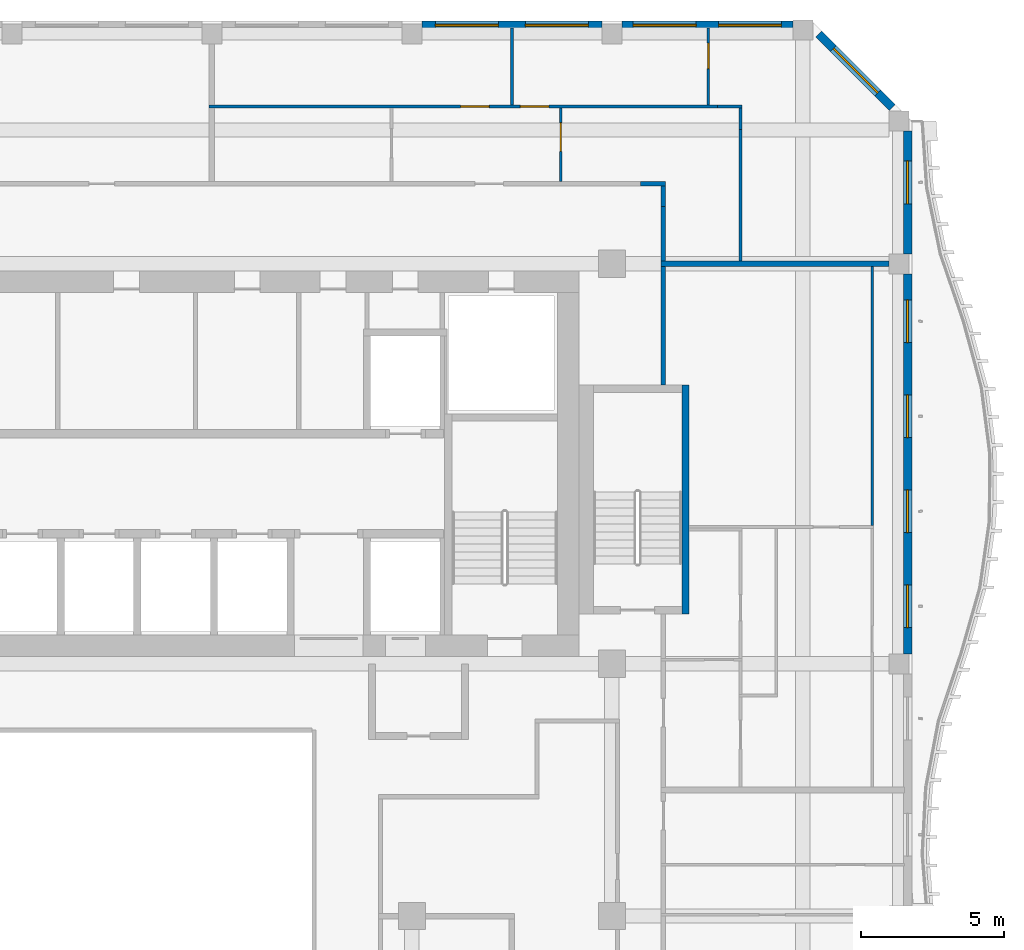
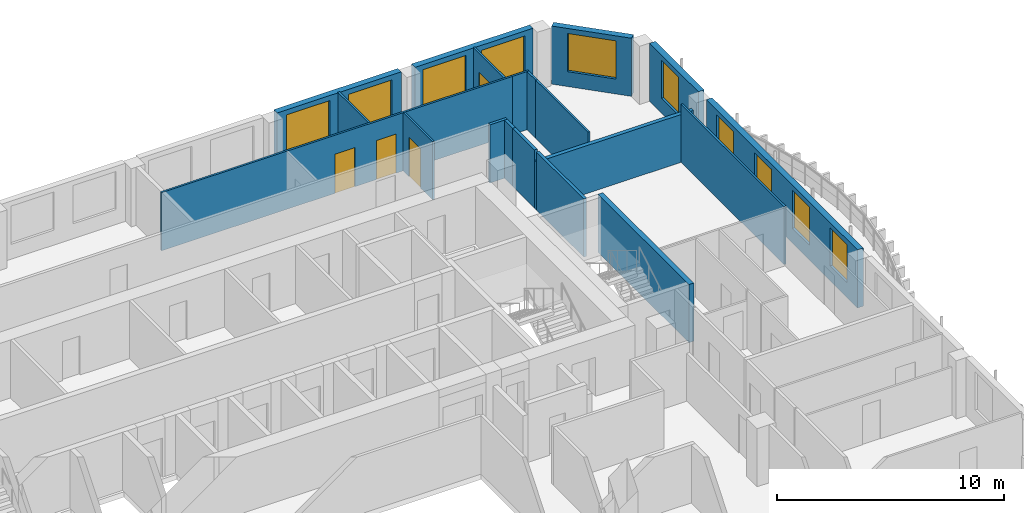
# One storey, part 9 of 19: 19 walls, 10 windows, 4 doors, 14 openings.
"""IFC4 building model written with IfcOpenShell, lengths in metres."""

from ifc_helpers import new_model, si_unit, direction, frame, frame_2d, origin, place, context, subcontext, project, spatial, rectangle, extrude, source, transform, mapped, material, layer, layer_set, type_object, element, fill, save


model = new_model("IFC4")

# Units and contexts
model_context = context("Model", 3, precision=1e-05, world=origin(), true_north=direction((0.0, 1.0)))
body_context = subcontext(model_context, "Body", "Model", "MODEL_VIEW")
ifc_project = project(units=[si_unit("LENGTHUNIT", "METRE"), si_unit("AREAUNIT", "SQUARE_METRE"), si_unit("VOLUMEUNIT", "CUBIC_METRE"), si_unit("PLANEANGLEUNIT", "RADIAN"), si_unit("MASSUNIT", "GRAM", prefix="KILO")], contexts=[model_context])

# Site, building, storey
site_placement = place(None, origin())
site = spatial("IfcSite", under=ifc_project, at=site_placement, CompositionType="ELEMENT")
building_placement = place(site_placement, origin())
building = spatial("IfcBuilding", under=site, at=building_placement, Name="Kilnfold Tower and Market Hall", CompositionType="ELEMENT")
storey_placement = place(building_placement, frame((0.0, 0.0, 252.60009765625)))
storey = spatial("IfcBuildingStorey", under=building, at=storey_placement, Name="L61", CompositionType="ELEMENT", Elevation=252.60009765625)

# Walls
ifc_material_1 = material(Name="Gypsum board on steel studs", Category="steel")
ifc_layer_1 = layer(ifc_material_1, 0.14990234375)
ifc_layer_set_1 = layer_set([ifc_layer_1], Name="Gypsum board on steel studs")
wall_type_1 = type_object("IfcWallType", Name="WALL CORRIDOR 150", PredefinedType="PARTITIONING", material=ifc_layer_set_1)
wall_1_placement = place(storey_placement, frame((20.800048828125, 17.75, 0.0), z_axis=(0.0, 0.0, 1.0), x_axis=(0.0, 1.0, 0.0)))
element("IfcWall", 1, at=wall_1_placement, inside=storey, type_object=wall_type_1, Name="Partition LY37.16", PredefinedType="PARTITIONING", context=body_context, shape_type="SweptSolid", body=[
    extrude(rectangle(XDim=4.159912109375, YDim=0.14990234375, at=frame_2d((2.080078125, 0.0))), origin(), (0.0, 0.0, 1.0), 3.119873046875),
])
wall_2_placement = place(storey_placement, frame((20.876953125, 24.802001953125, 0.0), z_axis=(0.0, 0.0, 1.0), x_axis=(-1.0, 0.0, 0.0)))
element("IfcWall", 2, at=wall_2_placement, inside=storey, type_object=wall_type_1, Name="Partition LY37.19", PredefinedType="PARTITIONING", context=body_context, shape_type="SweptSolid", body=[
    extrude(rectangle(XDim=0.87890625, YDim=0.14990234375, at=frame_2d((0.439453125, 0.0))), origin(), (0.0, 0.0, 1.0), 3.119873046875),
])
wall_3_placement = place(storey_placement, frame((20.802001953125, 23.998046875, 0.0), z_axis=(0.0, 0.0, 1.0), x_axis=(0.0, 1.0, 0.0)))
element("IfcWall", 3, at=wall_3_placement, inside=storey, type_object=wall_type_1, Name="Partition LY37.20", PredefinedType="PARTITIONING", context=body_context, shape_type="SweptSolid", body=[
    extrude(rectangle(XDim=0.72900390625, YDim=0.14990234375, at=frame_2d((0.364501953125, 0.0))), origin(), (0.0, 0.0, 1.0), 3.119873046875),
])
wall_4_placement = place(storey_placement, frame((20.800048828125, 22.090087890625, 0.0), z_axis=(0.0, 0.0, 1.0), x_axis=(0.0, 1.0, 0.0)))
element("IfcWall", 4, at=wall_4_placement, inside=storey, type_object=wall_type_1, Name="Partition LY37.21", PredefinedType="PARTITIONING", context=body_context, shape_type="SweptSolid", body=[
    extrude(rectangle(XDim=1.907958984375, YDim=0.14990234375, at=frame_2d((0.9541015625, 0.0))), origin(), (0.0, 0.0, 1.0), 3.119873046875),
])
ifc_material_2 = material(Name="Gypsum board on steel studs", Category="steel")
ifc_layer_2 = layer(ifc_material_2, 0.10009765625)
ifc_layer_set_2 = layer_set([ifc_layer_2], Name="Gypsum board on steel studs")
wall_type_2 = type_object("IfcWallType", Name="WALL PARTITION 100", PredefinedType="PARTITIONING", material=ifc_layer_set_2)
wall_5_placement = place(storey_placement, frame((28.111083984375, 12.841064453125, 0.0), z_axis=(0.0, 0.0, 1.0), x_axis=(0.0, 1.0, 0.0)))
element("IfcWall", 5, at=wall_5_placement, inside=storey, type_object=wall_type_2, Name="Partition LY37.83", PredefinedType="PARTITIONING", context=body_context, shape_type="SweptSolid", body=[
    extrude(rectangle(XDim=9.058837890625, YDim=0.10009765625, at=frame_2d((4.529296875, 0.0))), origin(), (0.0, 0.0, 1.0), 3.119873046875),
])

# Wall, openings, doors
wall_6_placement = place(storey_placement, frame((4.89990234375, 27.5, 0.0), z_axis=(0.0, 0.0, 1.0), x_axis=(1.0, 0.0, 0.0)))
wall_6 = element("IfcWall", 6, at=wall_6_placement, inside=storey, type_object=wall_type_2, Name="Partition LY37.91", PredefinedType="PARTITIONING", context=body_context, shape_type="SweptSolid", body=[
    extrude(rectangle(XDim=17.798095703125, YDim=0.10009765625, at=frame_2d((8.89892578125, 0.0))), origin(), (0.0, 0.0, 1.0), 3.119873046875),
])
opening_1_placement = place(wall_6_placement, frame((8.805908203125, 0.0, 0.0)))
opening_1 = element("IfcOpeningElement", 7, at=opening_1_placement, cuts=wall_6, Name="Opening D1", PredefinedType="OPENING", context=body_context, shape_type="SweptSolid", body=[
    extrude(rectangle(XDim=1.0, YDim=2.10009765625, at=frame_2d((0.5, 1.050048828125))), frame((0.0, 0.06005859375, 0.0), z_axis=(0.0, -1.0, 0.0), x_axis=(1.0, 0.0, 0.0)), (0.0, 0.0, 1.0), 0.1201171875),
])
opening_2_placement = place(wall_6_placement, frame((10.89697265625, 0.0, 0.0)))
opening_2 = element("IfcOpeningElement", 8, at=opening_2_placement, cuts=wall_6, Name="Opening D1", PredefinedType="OPENING", context=body_context, shape_type="SweptSolid", body=[
    extrude(rectangle(XDim=1.0, YDim=2.10009765625, at=frame_2d((0.5, 1.050048828125))), frame((0.0, 0.06005859375, 0.0), z_axis=(0.0, -1.0, 0.0), x_axis=(1.0, 0.0, 0.0)), (0.0, 0.0, 1.0), 0.1201171875),
])
ifc_material_3 = material(Name="Timber veneer door leaf in steel frame", Category="steel")
door_type_1 = type_object("IfcDoorType", Name="DOOR ENTRY 1000 X2100", OperationType="NOTDEFINED", PredefinedType="DOOR", material=ifc_material_3)
door_1_placement = place(opening_1_placement, origin())
door_1 = element("IfcDoor", 9, at=door_1_placement, inside=storey, type_object=door_type_1, Name="Door D1", OperationType="SINGLE_SWING_LEFT", OverallHeight=2.10009765625, OverallWidth=1.0, PredefinedType="DOOR", context=body_context, shape_type="SweptSolid", body=[
    extrude(rectangle(XDim=1.0, YDim=2.10009765625, at=frame_2d((0.5, 1.050048828125))), frame((0.0, 0.02490234375, 0.0), z_axis=(0.0, -1.0, 0.0), x_axis=(1.0, 0.0, 0.0)), (0.0, 0.0, 1.0), 0.050048828125),
])
fill(opening_1, door_1)
door_2_placement = place(opening_2_placement, origin())
door_2 = element("IfcDoor", 10, at=door_2_placement, inside=storey, type_object=door_type_1, Name="Door D1", OperationType="SINGLE_SWING_LEFT", OverallHeight=2.10009765625, OverallWidth=1.0, PredefinedType="DOOR", context=body_context, shape_type="SweptSolid", body=[
    extrude(rectangle(XDim=1.0, YDim=2.10009765625, at=frame_2d((0.5, 1.050048828125))), frame((0.0, 0.02490234375, 0.0), z_axis=(0.0, -1.0, 0.0), x_axis=(1.0, 0.0, 0.0)), (0.0, 0.0, 1.0), 0.050048828125),
])
fill(opening_2, door_2)

# Wall, opening, door
wall_7_placement = place(storey_placement, frame((17.2099609375, 24.876953125, 0.0), z_axis=(0.0, 0.0, 1.0), x_axis=(0.0, 1.0, 0.0)))
wall_7 = element("IfcWall", 11, at=wall_7_placement, inside=storey, type_object=wall_type_2, Name="Partition LY37.93", PredefinedType="PARTITIONING", context=body_context, shape_type="SweptSolid", body=[
    extrude(rectangle(XDim=2.572998046875, YDim=0.10009765625, at=frame_2d((1.28662109375, 0.0))), origin(), (0.0, 0.0, 1.0), 3.119873046875),
])
opening_3_placement = place(wall_7_placement, frame((1.052978515625, 0.0, 0.0)))
opening_3 = element("IfcOpeningElement", 12, at=opening_3_placement, cuts=wall_7, Name="Opening D1", PredefinedType="OPENING", context=body_context, shape_type="SweptSolid", body=[
    extrude(rectangle(XDim=1.0, YDim=2.10009765625, at=frame_2d((0.5, 1.050048828125))), frame((0.0, 0.06005859375, 0.0), z_axis=(0.0, -1.0, 0.0), x_axis=(1.0, 0.0, 0.0)), (0.0, 0.0, 1.0), 0.1201171875),
])
door_3_placement = place(opening_3_placement, origin())
door_3 = element("IfcDoor", 13, at=door_3_placement, inside=storey, type_object=door_type_1, Name="Door D1", OperationType="SINGLE_SWING_LEFT", OverallHeight=2.10009765625, OverallWidth=1.0, PredefinedType="DOOR", context=body_context, shape_type="SweptSolid", body=[
    extrude(rectangle(XDim=1.0, YDim=2.10009765625, at=frame_2d((0.5, 1.050048828125))), frame((0.0, 0.02490234375, 0.0), z_axis=(0.0, -1.0, 0.0), x_axis=(1.0, 0.0, 0.0)), (0.0, 0.0, 1.0), 0.050048828125),
])
fill(opening_3, door_3)

# Walls
wall_8_placement = place(storey_placement, frame((23.552001953125, 27.501953125, 0.0), z_axis=(0.0, 0.0, 1.0), x_axis=(-1.0, 0.0, 0.0)))
element("IfcWall", 14, at=wall_8_placement, inside=storey, type_object=wall_type_2, Name="Partition LY37.94", PredefinedType="PARTITIONING", context=body_context, shape_type="SweptSolid", body=[
    extrude(rectangle(XDim=0.85400390625, YDim=0.10009765625, at=frame_2d((0.427001953125, 0.0))), origin(), (0.0, 0.0, 1.0), 3.119873046875),
])
wall_9_placement = place(storey_placement, frame((23.501953125, 26.697998046875, 0.0), z_axis=(0.0, 0.0, 1.0), x_axis=(0.0, 1.0, 0.0)))
element("IfcWall", 15, at=wall_9_placement, inside=storey, type_object=wall_type_2, Name="Partition LY37.95", PredefinedType="PARTITIONING", context=body_context, shape_type="SweptSolid", body=[
    extrude(rectangle(XDim=0.75390625, YDim=0.10009765625, at=frame_2d((0.376953125, 0.0))), origin(), (0.0, 0.0, 1.0), 3.119873046875),
])
wall_10_placement = place(storey_placement, frame((23.5, 22.10009765625, 0.0), z_axis=(0.0, 0.0, 1.0), x_axis=(0.0, 1.0, 0.0)))
element("IfcWall", 16, at=wall_10_placement, inside=storey, type_object=wall_type_2, Name="Partition LY37.96", PredefinedType="PARTITIONING", context=body_context, shape_type="SweptSolid", body=[
    extrude(rectangle(XDim=4.597900390625, YDim=0.10009765625, at=frame_2d((2.298828125, 0.0))), origin(), (0.0, 0.0, 1.0), 3.119873046875),
])
wall_11_placement = place(storey_placement, frame((15.5, 27.552001953125, 0.0), z_axis=(0.0, 0.0, 1.0), x_axis=(0.0, 1.0, 0.0)))
element("IfcWall", 17, at=wall_11_placement, inside=storey, type_object=wall_type_2, Name="Partition LY37.97", PredefinedType="PARTITIONING", context=body_context, shape_type="SweptSolid", body=[
    extrude(rectangle(XDim=2.697998046875, YDim=0.10009765625, at=frame_2d((1.34912109375, 0.0))), origin(), (0.0, 0.0, 1.0), 3.119873046875),
])

# Wall, opening, door
wall_12_placement = place(storey_placement, frame((22.375, 27.552001953125, 0.0), z_axis=(0.0, 0.0, 1.0), x_axis=(0.0, 1.0, 0.0)))
wall_12 = element("IfcWall", 18, at=wall_12_placement, inside=storey, type_object=wall_type_2, Name="Partition LY37.99", PredefinedType="PARTITIONING", context=body_context, shape_type="SweptSolid", body=[
    extrude(rectangle(XDim=2.697998046875, YDim=0.10009765625, at=frame_2d((1.34912109375, 0.0))), origin(), (0.0, 0.0, 1.0), 3.119873046875),
])
opening_4_placement = place(wall_12_placement, frame((1.27490234375, 0.0, 0.0)))
opening_4 = element("IfcOpeningElement", 19, at=opening_4_placement, cuts=wall_12, Name="Opening D2", PredefinedType="OPENING", context=body_context, shape_type="SweptSolid", body=[
    extrude(rectangle(XDim=0.89990234375, YDim=2.10009765625, at=frame_2d((0.449951171875, 1.050048828125))), frame((0.0, 0.06005859375, 0.0), z_axis=(0.0, -1.0, 0.0), x_axis=(1.0, 0.0, 0.0)), (0.0, 0.0, 1.0), 0.1201171875),
])
ifc_material_4 = material(Name="Timber veneer door leaf in steel frame", Category="steel")
door_type_2 = type_object("IfcDoorType", Name="DOOR ROOM 900 X2100", OperationType="NOTDEFINED", PredefinedType="DOOR", material=ifc_material_4)
door_4_placement = place(opening_4_placement, origin())
door_4 = element("IfcDoor", 20, at=door_4_placement, inside=storey, type_object=door_type_2, Name="Door D2", OperationType="SINGLE_SWING_LEFT", OverallHeight=2.10009765625, OverallWidth=0.89990234375, PredefinedType="DOOR", context=body_context, shape_type="SweptSolid", body=[
    extrude(rectangle(XDim=0.89990234375, YDim=2.10009765625, at=frame_2d((0.449951171875, 1.050048828125))), frame((0.0, 0.02490234375, 0.0), z_axis=(0.0, -1.0, 0.0), x_axis=(1.0, 0.0, 0.0)), (0.0, 0.0, 1.0), 0.050048828125),
])
fill(opening_4, door_4)

# Walls
ifc_material_5 = material(Name="Gypsum board on steel studs", Category="steel")
ifc_layer_3 = layer(ifc_material_5, 0.199951171875)
ifc_layer_set_3 = layer_set([ifc_layer_3], Name="Gypsum board on steel studs")
wall_type_3 = type_object("IfcWallType", Name="WALL PARTY 200", PredefinedType="PARTITIONING", material=ifc_layer_set_3)
wall_13_placement = place(storey_placement, frame((20.72705078125, 22.0, 0.0), z_axis=(0.0, 0.0, 1.0), x_axis=(1.0, 0.0, 0.0)))
element("IfcWall", 21, at=wall_13_placement, inside=storey, type_object=wall_type_3, Name="Partition LY37.84", PredefinedType="PARTITIONING", context=body_context, shape_type="SweptSolid", body=[
    extrude(rectangle(XDim=7.972900390625, YDim=0.199951171875, at=frame_2d((3.986328125, 0.0))), origin(), (0.0, 0.0, 1.0), 2.56982421875),
])
ifc_material_6 = material(Name="Concrete C60", Category="concrete")
ifc_layer_4 = layer(ifc_material_6, 0.25)
ifc_layer_set_4 = layer_set([ifc_layer_4], Name="Concrete C60")
wall_type_4 = type_object("IfcWallType", Name="CORE WALL 250 C60", PredefinedType="SHEAR", material=ifc_layer_set_4)
shared_shape_1 = source(origin(), body_context, "Body", "SweptSolid", [
    extrude(rectangle(XDim=8.0, YDim=0.25, at=frame_2d((4.0, 0.0))), origin(), (0.0, 0.0, 1.0), 3.119873046875),
])
wall_14_placement = place(storey_placement, frame((21.574951171875, 9.75, 0.0), z_axis=(0.0, 0.0, 1.0), x_axis=(0.0, 1.0, 0.0)))
element("IfcWall", 22, at=wall_14_placement, inside=storey, type_object=wall_type_4, Name="Stair enclosure ST5", PredefinedType="SHEAR", context=body_context, shape_type="MappedRepresentation", body=[
    mapped(shared_shape_1, transform((0.0, 0.0, 0.0))),
])

# Wall, openings, windows
ifc_material_7 = material(Name="Precast concrete C50/60", Category="concrete")
ifc_layer_5 = layer(ifc_material_7, 0.300048828125)
ifc_layer_set_5 = layer_set([ifc_layer_5], Name="Precast concrete C50/60")
wall_type_5 = type_object("IfcWallType", Name="PRECAST WALL 300", PredefinedType="SOLIDWALL", material=ifc_layer_set_5)
shared_shape_2 = source(origin(), body_context, "Body", "SweptSolid", [
    extrude(rectangle(XDim=6.2998046875, YDim=0.300048828125, at=frame_2d((3.14990234375, 0.0))), origin(), (0.0, 0.0, 1.0), 3.119873046875),
])
wall_15_placement = place(storey_placement, frame((18.64990234375, 30.35009765625, 0.0), z_axis=(0.0, 0.0, 1.0), x_axis=(-1.0, 0.0, 0.0)))
wall_15 = element("IfcWall", 23, at=wall_15_placement, inside=storey, type_object=wall_type_5, Name="External wall L61 N", PredefinedType="SOLIDWALL", context=body_context, shape_type="MappedRepresentation", body=[
    mapped(shared_shape_2, transform((0.0, 0.0, 0.0))),
])
opening_5_placement = place(wall_15_placement, frame((0.47509765625, 0.0, 0.800048828125)))
opening_5 = element("IfcOpeningElement", 24, at=opening_5_placement, cuts=wall_15, Name="Opening W3", PredefinedType="OPENING", context=body_context, shape_type="SweptSolid", body=[
    extrude(rectangle(XDim=2.199951171875, YDim=2.050048828125, at=frame_2d((1.10009765625, 1.02490234375))), frame((0.0, 0.16015625, 0.0), z_axis=(0.0, -1.0, 0.0), x_axis=(1.0, 0.0, 0.0)), (0.0, 0.0, 1.0), 0.320068359375),
])
opening_6_placement = place(wall_15_placement, frame((3.625, 0.0, 0.800048828125)))
opening_6 = element("IfcOpeningElement", 25, at=opening_6_placement, cuts=wall_15, Name="Opening W3", PredefinedType="OPENING", context=body_context, shape_type="SweptSolid", body=[
    extrude(rectangle(XDim=2.199951171875, YDim=2.050048828125, at=frame_2d((1.10009765625, 1.02490234375))), frame((0.0, 0.16015625, 0.0), z_axis=(0.0, -1.0, 0.0), x_axis=(1.0, 0.0, 0.0)), (0.0, 0.0, 1.0), 0.320068359375),
])
ifc_material_8 = material(Name="Aluminium frame and double glazing", Category="aluminium")
window_type_1 = type_object("IfcWindowType", Name="WINDOW W3 2200X2050", PartitioningType="SINGLE_PANEL", PredefinedType="WINDOW", material=ifc_material_8)
window_1_placement = place(opening_5_placement, origin())
window_1 = element("IfcWindow", 26, at=window_1_placement, inside=storey, type_object=window_type_1, Name="Window W3 L61 N-1", OverallHeight=2.050048828125, OverallWidth=2.199951171875, PartitioningType="SINGLE_PANEL", PredefinedType="WINDOW", context=body_context, shape_type="SweptSolid", body=[
    extrude(rectangle(XDim=2.199951171875, YDim=2.050048828125, at=frame_2d((1.10009765625, 1.02490234375))), frame((0.0, 0.030029296875, 0.0), z_axis=(0.0, -1.0, 0.0), x_axis=(1.0, 0.0, 0.0)), (0.0, 0.0, 1.0), 0.06005859375),
])
fill(opening_5, window_1)
window_2_placement = place(opening_6_placement, origin())
window_2 = element("IfcWindow", 27, at=window_2_placement, inside=storey, type_object=window_type_1, Name="Window W3 L61 N-2", OverallHeight=2.050048828125, OverallWidth=2.199951171875, PartitioningType="SINGLE_PANEL", PredefinedType="WINDOW", context=body_context, shape_type="SweptSolid", body=[
    extrude(rectangle(XDim=2.199951171875, YDim=2.050048828125, at=frame_2d((1.10009765625, 1.02490234375))), frame((0.0, 0.030029296875, 0.0), z_axis=(0.0, -1.0, 0.0), x_axis=(1.0, 0.0, 0.0)), (0.0, 0.0, 1.0), 0.06005859375),
])
fill(opening_6, window_2)

# Wall, opening, window
shared_shape_3 = source(origin(), body_context, "Body", "SweptSolid", [
    extrude(rectangle(XDim=3.6416015625, YDim=0.300048828125, at=frame_2d((1.82080078125, 0.0))), origin(), (0.0, 0.0, 1.0), 3.119873046875),
])
wall_16_placement = place(storey_placement, frame((28.81884765625, 27.468994140625, 0.0), z_axis=(0.0, 0.0, 1.0), x_axis=(-0.707106781187, 0.707106781187, 0.0)))
wall_16 = element("IfcWall", 28, at=wall_16_placement, inside=storey, type_object=wall_type_5, Name="External wall L61 NE", PredefinedType="SOLIDWALL", context=body_context, shape_type="MappedRepresentation", body=[
    mapped(shared_shape_3, transform((0.0, 0.0, 0.0))),
])
opening_7_placement = place(wall_16_placement, frame((0.720703125, 0.0, 0.800048828125)))
opening_7 = element("IfcOpeningElement", 29, at=opening_7_placement, cuts=wall_16, Name="Opening W3", PredefinedType="OPENING", context=body_context, shape_type="SweptSolid", body=[
    extrude(rectangle(XDim=2.199951171875, YDim=2.050048828125, at=frame_2d((1.10009765625, 1.02490234375))), frame((0.0, 0.16015625, 0.0), z_axis=(0.0, -1.0, 0.0), x_axis=(1.0, 0.0, 0.0)), (0.0, 0.0, 1.0), 0.320068359375),
])
window_3_placement = place(opening_7_placement, origin())
window_3 = element("IfcWindow", 30, at=window_3_placement, inside=storey, type_object=window_type_1, Name="Window W3 L61 NE-1", OverallHeight=2.050048828125, OverallWidth=2.199951171875, PartitioningType="SINGLE_PANEL", PredefinedType="WINDOW", context=body_context, shape_type="SweptSolid", body=[
    extrude(rectangle(XDim=2.199951171875, YDim=2.050048828125, at=frame_2d((1.10009765625, 1.02490234375))), frame((0.0, 0.030029296875, 0.0), z_axis=(0.0, -1.0, 0.0), x_axis=(1.0, 0.0, 0.0)), (0.0, 0.0, 1.0), 0.06005859375),
])
fill(opening_7, window_3)

# Wall, openings, windows
shared_shape_4 = source(origin(), body_context, "Body", "SweptSolid", [
    extrude(rectangle(XDim=13.2998046875, YDim=0.300048828125, at=frame_2d((6.64990234375, 0.0))), origin(), (0.0, 0.0, 1.0), 3.119873046875),
])
wall_17_placement = place(storey_placement, frame((29.35009765625, 8.35009765625, 0.0), z_axis=(0.0, 0.0, 1.0), x_axis=(0.0, 1.0, 0.0)))
wall_17 = element("IfcWall", 31, at=wall_17_placement, inside=storey, type_object=wall_type_5, Name="External wall L61 E", PredefinedType="SOLIDWALL", context=body_context, shape_type="MappedRepresentation", body=[
    mapped(shared_shape_4, transform((0.0, 0.0, 0.0))),
])
opening_8_placement = place(wall_17_placement, frame((0.91259765625, 0.0, 0.800048828125)))
opening_8 = element("IfcOpeningElement", 32, at=opening_8_placement, cuts=wall_17, Name="Opening W5", PredefinedType="OPENING", context=body_context, shape_type="SweptSolid", body=[
    extrude(rectangle(XDim=1.5, YDim=2.050048828125, at=frame_2d((0.75, 1.02490234375))), frame((0.0, 0.16015625, 0.0), z_axis=(0.0, -1.0, 0.0), x_axis=(1.0, 0.0, 0.0)), (0.0, 0.0, 1.0), 0.320068359375),
])
opening_9_placement = place(wall_17_placement, frame((4.237548828125, 0.0, 0.800048828125)))
opening_9 = element("IfcOpeningElement", 33, at=opening_9_placement, cuts=wall_17, Name="Opening W5", PredefinedType="OPENING", context=body_context, shape_type="SweptSolid", body=[
    extrude(rectangle(XDim=1.5, YDim=2.050048828125, at=frame_2d((0.75, 1.02490234375))), frame((0.0, 0.16015625, 0.0), z_axis=(0.0, -1.0, 0.0), x_axis=(1.0, 0.0, 0.0)), (0.0, 0.0, 1.0), 0.320068359375),
])
opening_10_placement = place(wall_17_placement, frame((7.5625, 0.0, 0.800048828125)))
opening_10 = element("IfcOpeningElement", 34, at=opening_10_placement, cuts=wall_17, Name="Opening W5", PredefinedType="OPENING", context=body_context, shape_type="SweptSolid", body=[
    extrude(rectangle(XDim=1.5, YDim=2.050048828125, at=frame_2d((0.75, 1.02490234375))), frame((0.0, 0.16015625, 0.0), z_axis=(0.0, -1.0, 0.0), x_axis=(1.0, 0.0, 0.0)), (0.0, 0.0, 1.0), 0.320068359375),
])
opening_11_placement = place(wall_17_placement, frame((10.887451171875, 0.0, 0.800048828125)))
opening_11 = element("IfcOpeningElement", 35, at=opening_11_placement, cuts=wall_17, Name="Opening W5", PredefinedType="OPENING", context=body_context, shape_type="SweptSolid", body=[
    extrude(rectangle(XDim=1.5, YDim=2.050048828125, at=frame_2d((0.75, 1.02490234375))), frame((0.0, 0.16015625, 0.0), z_axis=(0.0, -1.0, 0.0), x_axis=(1.0, 0.0, 0.0)), (0.0, 0.0, 1.0), 0.320068359375),
])
ifc_material_9 = material(Name="Aluminium frame and double glazing", Category="aluminium")
window_type_2 = type_object("IfcWindowType", Name="WINDOW W5 1500X2050", PartitioningType="SINGLE_PANEL", PredefinedType="WINDOW", material=ifc_material_9)
window_4_placement = place(opening_8_placement, origin())
window_4 = element("IfcWindow", 36, at=window_4_placement, inside=storey, type_object=window_type_2, Name="Window W5 L61 E-1", OverallHeight=2.050048828125, OverallWidth=1.5, PartitioningType="SINGLE_PANEL", PredefinedType="WINDOW", context=body_context, shape_type="SweptSolid", body=[
    extrude(rectangle(XDim=1.5, YDim=2.050048828125, at=frame_2d((0.75, 1.02490234375))), frame((0.0, 0.030029296875, 0.0), z_axis=(0.0, -1.0, 0.0), x_axis=(1.0, 0.0, 0.0)), (0.0, 0.0, 1.0), 0.06005859375),
])
fill(opening_8, window_4)
window_5_placement = place(opening_9_placement, origin())
window_5 = element("IfcWindow", 37, at=window_5_placement, inside=storey, type_object=window_type_2, Name="Window W5 L61 E-2", OverallHeight=2.050048828125, OverallWidth=1.5, PartitioningType="SINGLE_PANEL", PredefinedType="WINDOW", context=body_context, shape_type="SweptSolid", body=[
    extrude(rectangle(XDim=1.5, YDim=2.050048828125, at=frame_2d((0.75, 1.02490234375))), frame((0.0, 0.030029296875, 0.0), z_axis=(0.0, -1.0, 0.0), x_axis=(1.0, 0.0, 0.0)), (0.0, 0.0, 1.0), 0.06005859375),
])
fill(opening_9, window_5)
window_6_placement = place(opening_10_placement, origin())
window_6 = element("IfcWindow", 38, at=window_6_placement, inside=storey, type_object=window_type_2, Name="Window W5 L61 E-3", OverallHeight=2.050048828125, OverallWidth=1.5, PartitioningType="SINGLE_PANEL", PredefinedType="WINDOW", context=body_context, shape_type="SweptSolid", body=[
    extrude(rectangle(XDim=1.5, YDim=2.050048828125, at=frame_2d((0.75, 1.02490234375))), frame((0.0, 0.030029296875, 0.0), z_axis=(0.0, -1.0, 0.0), x_axis=(1.0, 0.0, 0.0)), (0.0, 0.0, 1.0), 0.06005859375),
])
fill(opening_10, window_6)
window_7_placement = place(opening_11_placement, origin())
window_7 = element("IfcWindow", 39, at=window_7_placement, inside=storey, type_object=window_type_2, Name="Window W5 L61 E-4", OverallHeight=2.050048828125, OverallWidth=1.5, PartitioningType="SINGLE_PANEL", PredefinedType="WINDOW", context=body_context, shape_type="SweptSolid", body=[
    extrude(rectangle(XDim=1.5, YDim=2.050048828125, at=frame_2d((0.75, 1.02490234375))), frame((0.0, 0.030029296875, 0.0), z_axis=(0.0, -1.0, 0.0), x_axis=(1.0, 0.0, 0.0)), (0.0, 0.0, 1.0), 0.06005859375),
])
fill(opening_11, window_7)

# Wall, opening, window
shared_shape_5 = source(origin(), body_context, "Body", "SweptSolid", [
    extrude(rectangle(XDim=4.2998046875, YDim=0.300048828125, at=frame_2d((2.14990234375, 0.0))), origin(), (0.0, 0.0, 1.0), 3.119873046875),
])
wall_18_placement = place(storey_placement, frame((29.35009765625, 22.35009765625, 0.0), z_axis=(0.0, 0.0, 1.0), x_axis=(0.0, 1.0, 0.0)))
wall_18 = element("IfcWall", 40, at=wall_18_placement, inside=storey, type_object=wall_type_5, Name="External wall L61 E", PredefinedType="SOLIDWALL", context=body_context, shape_type="MappedRepresentation", body=[
    mapped(shared_shape_5, transform((0.0, 0.0, 0.0))),
])
opening_12_placement = place(wall_18_placement, frame((1.75, 0.0, 0.800048828125)))
opening_12 = element("IfcOpeningElement", 41, at=opening_12_placement, cuts=wall_18, Name="Opening W5", PredefinedType="OPENING", context=body_context, shape_type="SweptSolid", body=[
    extrude(rectangle(XDim=1.5, YDim=2.050048828125, at=frame_2d((0.75, 1.02490234375))), frame((0.0, 0.16015625, 0.0), z_axis=(0.0, -1.0, 0.0), x_axis=(1.0, 0.0, 0.0)), (0.0, 0.0, 1.0), 0.320068359375),
])
window_8_placement = place(opening_12_placement, origin())
window_8 = element("IfcWindow", 42, at=window_8_placement, inside=storey, type_object=window_type_2, Name="Window W5 L61 E-1", OverallHeight=2.050048828125, OverallWidth=1.5, PartitioningType="SINGLE_PANEL", PredefinedType="WINDOW", context=body_context, shape_type="SweptSolid", body=[
    extrude(rectangle(XDim=1.5, YDim=2.050048828125, at=frame_2d((0.75, 1.02490234375))), frame((0.0, 0.030029296875, 0.0), z_axis=(0.0, -1.0, 0.0), x_axis=(1.0, 0.0, 0.0)), (0.0, 0.0, 1.0), 0.06005859375),
])
fill(opening_12, window_8)

# Wall, openings, windows
shared_shape_6 = source(origin(), body_context, "Body", "SweptSolid", [
    extrude(rectangle(XDim=5.981689453125, YDim=0.300048828125, at=frame_2d((2.99072265625, 0.0))), origin(), (0.0, 0.0, 1.0), 3.119873046875),
])
wall_19_placement = place(storey_placement, frame((25.331787109375, 30.35009765625, 0.0), z_axis=(0.0, 0.0, 1.0), x_axis=(-1.0, 0.0, 0.0)))
wall_19 = element("IfcWall", 43, at=wall_19_placement, inside=storey, type_object=wall_type_5, Name="External wall L61 N", PredefinedType="SOLIDWALL", context=body_context, shape_type="MappedRepresentation", body=[
    mapped(shared_shape_6, transform((0.0, 0.0, 0.0))),
])
opening_13_placement = place(wall_19_placement, frame((0.3955078125, 0.0, 0.800048828125)))
opening_13 = element("IfcOpeningElement", 44, at=opening_13_placement, cuts=wall_19, Name="Opening W3", PredefinedType="OPENING", context=body_context, shape_type="SweptSolid", body=[
    extrude(rectangle(XDim=2.199951171875, YDim=2.050048828125, at=frame_2d((1.10009765625, 1.02490234375))), frame((0.0, 0.16015625, 0.0), z_axis=(0.0, -1.0, 0.0), x_axis=(1.0, 0.0, 0.0)), (0.0, 0.0, 1.0), 0.320068359375),
])
opening_14_placement = place(wall_19_placement, frame((3.386474609375, 0.0, 0.800048828125)))
opening_14 = element("IfcOpeningElement", 45, at=opening_14_placement, cuts=wall_19, Name="Opening W3", PredefinedType="OPENING", context=body_context, shape_type="SweptSolid", body=[
    extrude(rectangle(XDim=2.199951171875, YDim=2.050048828125, at=frame_2d((1.10009765625, 1.02490234375))), frame((0.0, 0.16015625, 0.0), z_axis=(0.0, -1.0, 0.0), x_axis=(1.0, 0.0, 0.0)), (0.0, 0.0, 1.0), 0.320068359375),
])
window_9_placement = place(opening_13_placement, origin())
window_9 = element("IfcWindow", 46, at=window_9_placement, inside=storey, type_object=window_type_1, Name="Window W3 L61 N-1", OverallHeight=2.050048828125, OverallWidth=2.199951171875, PartitioningType="SINGLE_PANEL", PredefinedType="WINDOW", context=body_context, shape_type="SweptSolid", body=[
    extrude(rectangle(XDim=2.199951171875, YDim=2.050048828125, at=frame_2d((1.10009765625, 1.02490234375))), frame((0.0, 0.030029296875, 0.0), z_axis=(0.0, -1.0, 0.0), x_axis=(1.0, 0.0, 0.0)), (0.0, 0.0, 1.0), 0.06005859375),
])
fill(opening_13, window_9)
window_10_placement = place(opening_14_placement, origin())
window_10 = element("IfcWindow", 47, at=window_10_placement, inside=storey, type_object=window_type_1, Name="Window W3 L61 N-2", OverallHeight=2.050048828125, OverallWidth=2.199951171875, PartitioningType="SINGLE_PANEL", PredefinedType="WINDOW", context=body_context, shape_type="SweptSolid", body=[
    extrude(rectangle(XDim=2.199951171875, YDim=2.050048828125, at=frame_2d((1.10009765625, 1.02490234375))), frame((0.0, 0.030029296875, 0.0), z_axis=(0.0, -1.0, 0.0), x_axis=(1.0, 0.0, 0.0)), (0.0, 0.0, 1.0), 0.06005859375),
])
fill(opening_14, window_10)

save(model, "model.ifc")
